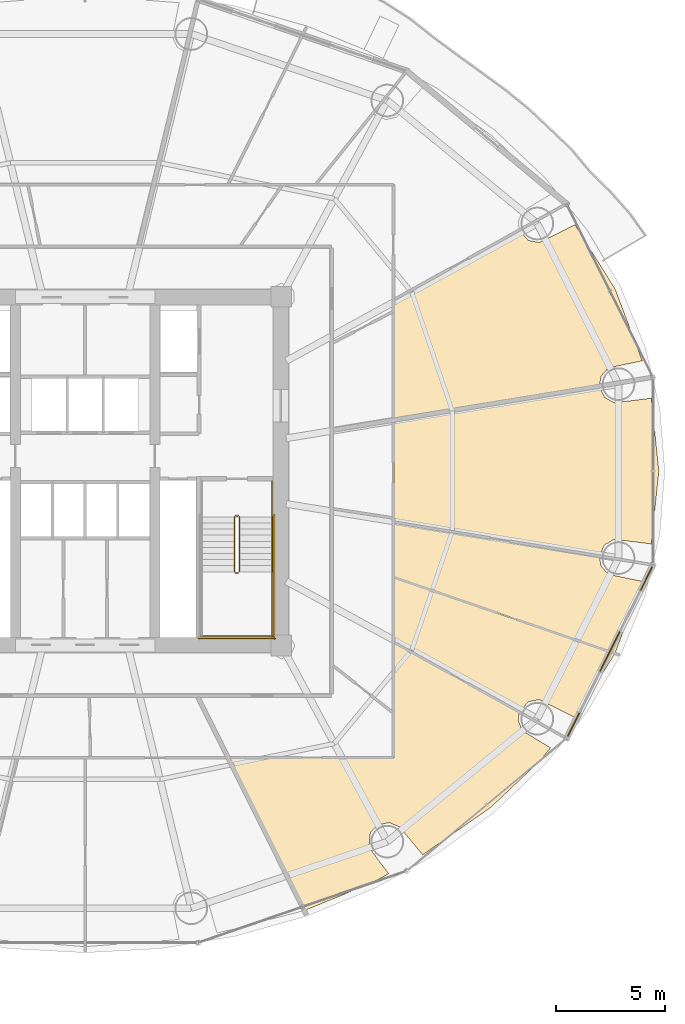
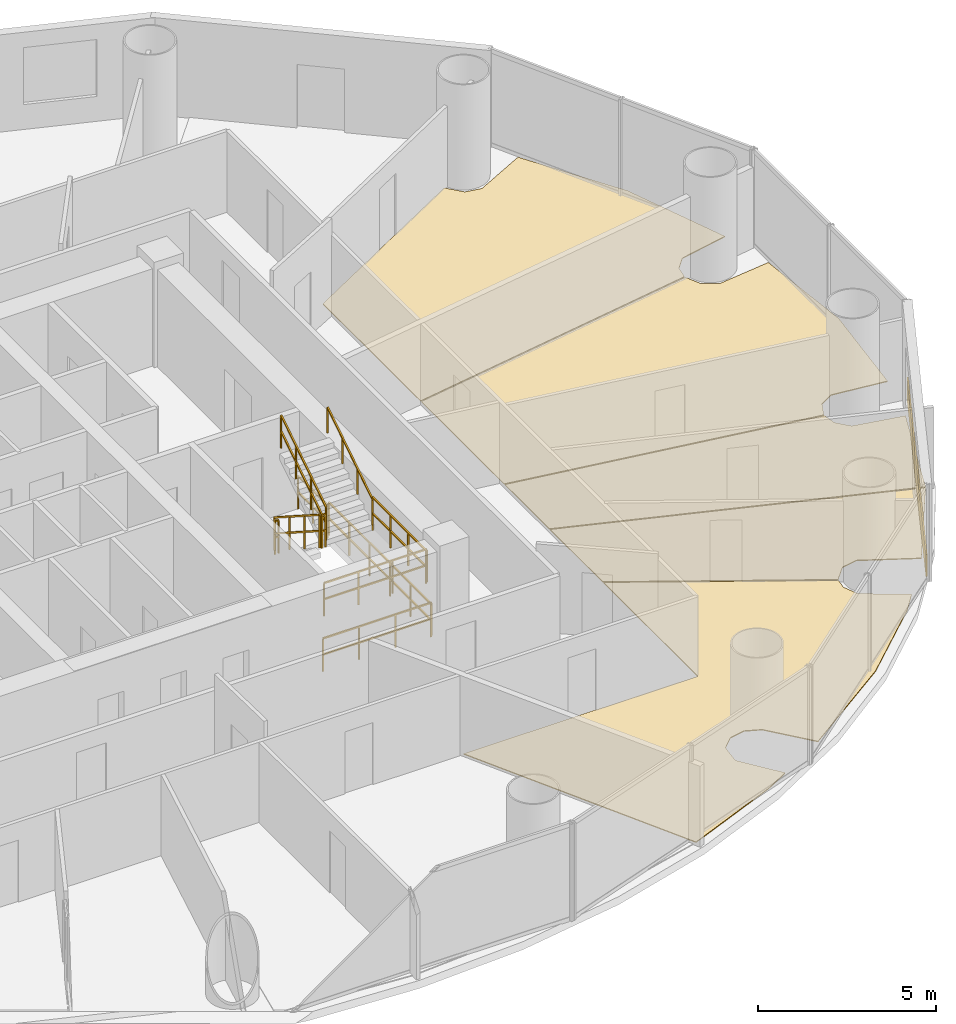
# One storey, part 27 of 28: 10 railings, 6 coverings.
"""IFC4 building model written with IfcOpenShell, lengths in metres."""

from ifc_helpers import new_model, si_unit, direction, frame, origin, origin_2d, place, context, subcontext, project, spatial, polyline, rectangle, outline, extrude, source, transform, mapped, material, layer, layer_set, type_object, element, save


model = new_model("IFC4")

# Units and contexts
model_context = context("Model", 3, precision=1e-05, world=origin(), true_north=direction((-0.2419218956, 0.970295726276)))
body_context = subcontext(model_context, "Body", "Model", "MODEL_VIEW")
ifc_project = project(units=[si_unit("LENGTHUNIT", "METRE"), si_unit("AREAUNIT", "SQUARE_METRE"), si_unit("VOLUMEUNIT", "CUBIC_METRE"), si_unit("PLANEANGLEUNIT", "RADIAN"), si_unit("MASSUNIT", "GRAM", prefix="KILO")], contexts=[model_context])

# Site, building, storey
site_placement = place(None, origin())
site = spatial("IfcSite", under=ifc_project, at=site_placement, CompositionType="ELEMENT")
building_placement = place(site_placement, origin())
building = spatial("IfcBuilding", under=site, at=building_placement, Name="Cobrevalo Terracotta Tower", CompositionType="ELEMENT")
storey_placement = place(building_placement, frame((0.0, 0.0, 105.0)))
storey = spatial("IfcBuildingStorey", under=building, at=storey_placement, Name="L27", CompositionType="ELEMENT", Elevation=105.0)

# Coverings
ifc_material_1 = material(Name="Engineered Brazilian hardwood flooring", Category="wood")
ifc_layer_1 = layer(ifc_material_1, 0.028076171875)
ifc_layer_set_1 = layer_set([ifc_layer_1], Name="Engineered Brazilian hardwood flooring")
covering_type_1 = type_object("IfcCoveringType", Name="Engineered Hardwood Suite Flooring 28", PredefinedType="FLOORING", material=ifc_layer_set_1)
covering_1_placement = place(storey_placement, origin())
element("IfcCovering", 1, at=covering_1_placement, inside=storey, type_object=covering_type_1, Name="Flat L27A Living and Dining Room floor finish", PredefinedType="FLOORING", context=body_context, shape_type="SweptSolid", body=[
    extrude(outline(polyline([(62.317138671875, 35.14892578125), (63.564208984375, 31.859619140625), (62.00732421875, 31.537841796875), (61.669677734375, 31.154541015625), (61.597412109375, 30.719970703125), (52.1650390625, 29.1611328125), (52.1650390625, 34.640625), (57.9296875, 37.8408203125), (58.338134765625, 37.381103515625), (58.84033203125, 37.286376953125), (60.474853515625, 38.10546875), (62.317138671875, 35.14892578125)])), origin(), (0.0, 0.0, 1.0), 0.030029296875),
])
covering_2_placement = place(storey_placement, origin())
element("IfcCovering", 2, at=covering_2_placement, inside=storey, type_object=covering_type_1, Name="Flat L27E Living and Dining Room floor finish", PredefinedType="FLOORING", context=body_context, shape_type="SweptSolid", body=[
    extrude(outline(polyline([(56.6123046875, 11.372314453125), (53.488525390625, 9.193359375), (52.422119140625, 10.474853515625), (51.95068359375, 10.672119140625), (51.44921875, 10.573974609375), (51.086669921875, 10.2138671875), (51.0185546875, 9.543701171875), (51.92431640625, 8.32666015625), (51.161376953125, 7.904052734375), (48.07177734375, 6.64306640625), (44.5859375, 13.635009765625), (52.1650390625, 13.635009765625), (52.1650390625, 18.91357421875), (57.916259765625, 15.720703125), (57.868408203125, 15.361328125), (58.05908203125, 14.88720703125), (59.35302734375, 14.102294921875), (58.882080078125, 13.518310546875), (56.6123046875, 11.372314453125)])), origin(), (0.0, 0.0, 1.0), 0.030029296875),
])
covering_3_placement = place(storey_placement, origin())
element("IfcCovering", 3, at=covering_3_placement, inside=storey, type_object=covering_type_1, Name="Flat L27E Master Bedroom floor finish", PredefinedType="FLOORING", context=body_context, shape_type="SweptSolid", body=[
    extrude(outline(polyline([(60.474853515625, 15.49462890625), (58.84033203125, 16.3134765625), (58.338134765625, 16.218994140625), (57.9296875, 15.759033203125), (52.1650390625, 18.959228515625), (52.1650390625, 21.904052734375), (62.296875, 18.417236328125), (60.474853515625, 15.49462890625)])), origin(), (0.0, 0.0, 1.0), 0.030029296875),
])
covering_4_placement = place(storey_placement, origin())
element("IfcCovering", 4, at=covering_4_placement, inside=storey, type_object=covering_type_1, Name="Flat L27E Principal Guest Bedroom floor finish", PredefinedType="FLOORING", context=body_context, shape_type="SweptSolid", body=[
    extrude(outline(polyline([(52.1650390625, 21.9462890625), (52.1650390625, 24.438720703125), (61.597412109375, 22.8798828125), (61.669677734375, 22.445556640625), (62.00732421875, 22.06201171875), (63.564208984375, 21.740478515625), (62.3154296875, 18.453369140625), (52.1650390625, 21.9462890625)])), origin(), (0.0, 0.0, 1.0), 0.030029296875),
])
covering_5_placement = place(storey_placement, origin())
element("IfcCovering", 5, at=covering_5_placement, inside=storey, type_object=covering_type_1, Name="Flat L27E Penthouse Family Lounge floor finish", PredefinedType="FLOORING", context=body_context, shape_type="SweptSolid", body=[
    extrude(outline(polyline([(61.60302734375, 30.680419921875), (61.8271484375, 30.189208984375), (62.26904296875, 29.932861328125), (63.975830078125, 30.143310546875), (64.31982421875, 26.800048828125), (63.975830078125, 23.45654296875), (62.26904296875, 23.6669921875), (61.8271484375, 23.41064453125), (61.60302734375, 22.919677734375), (52.1650390625, 24.479248046875), (52.1650390625, 29.12060546875), (61.60302734375, 30.680419921875)])), origin(), (0.0, 0.0, 1.0), 0.030029296875),
])

# Railings
ifc_material_2 = material(Name="Brushed stainless steel", Category="steel")
railing_type_1 = type_object("IfcRailingType", Name="Stainless Steel Stair Handrail 900", PredefinedType="HANDRAIL", material=ifc_material_2)
railing_1_placement = place(storey_placement, frame((46.574951171875, 22.179931640625, 1.97998046875)))
element("IfcRailing", 6, at=railing_1_placement, inside=storey, type_object=railing_type_1, Name="L27 ST-2 stair handrail 2", PredefinedType="HANDRAIL", context=body_context, shape_type="SweptSolid", body=[
    extrude(rectangle(XDim=0.048095703125, YDim=0.048095703125, at=origin_2d()), frame((0.0, 0.0, 0.8759765625), z_axis=(0.0, 0.841162588446, 0.540782303519), x_axis=(-1.0, 0.0, 0.0)), (0.0, 0.0, 1.0), 2.995849609375),
    extrude(rectangle(XDim=0.0419921875, YDim=0.0419921875, at=origin_2d()), origin(), (0.0, 0.0, 1.0), 0.851806640625),
    extrude(rectangle(XDim=0.0419921875, YDim=0.0419921875, at=origin_2d()), frame((0.0, 0.840087890625, 0.5400390625)), (0.0, 0.0, 1.0), 0.851806640625),
    extrude(rectangle(XDim=0.0419921875, YDim=0.0419921875, at=origin_2d()), frame((0.0, 1.679931640625, 1.080078125)), (0.0, 0.0, 1.0), 0.851806640625),
    extrude(rectangle(XDim=0.0419921875, YDim=0.0419921875, at=origin_2d()), frame((0.0, 2.52001953125, 1.6201171875)), (0.0, 0.0, 1.0), 0.851806640625),
])
ifc_material_3 = material(Name="Painted galvanized steel", Category="steel")
railing_type_2 = type_object("IfcRailingType", Name="Stair Well Guard Balustrade 1150", PredefinedType="GUARDRAIL", material=ifc_material_3)
railing_2_placement = place(storey_placement, frame((44.85498046875, 24.699951171875, 0.179931640625)))
element("IfcRailing", 7, at=railing_2_placement, inside=storey, type_object=railing_type_2, Name="L27 ST-2 stair guard 1", PredefinedType="GUARDRAIL", context=body_context, shape_type="SweptSolid", body=[
    extrude(rectangle(XDim=0.048095703125, YDim=0.048095703125, at=origin_2d()), frame((0.0, 0.0, 1.1259765625), z_axis=(0.0, -0.841162588446, 0.540782303519), x_axis=(1.0, 0.0, 0.0)), (0.0, 0.0, 1.0), 2.995849609375),
    extrude(rectangle(XDim=0.048095703125, YDim=0.048095703125, at=origin_2d()), frame((0.0, 0.0, 0.574951171875), z_axis=(0.0, -0.841162588446, 0.540782303519), x_axis=(1.0, 0.0, 0.0)), (0.0, 0.0, 1.0), 2.995849609375),
    extrude(rectangle(XDim=0.0419921875, YDim=0.0419921875, at=origin_2d()), origin(), (0.0, 0.0, 1.0), 1.101806640625),
    extrude(rectangle(XDim=0.0419921875, YDim=0.0419921875, at=origin_2d()), frame((0.0, -0.840087890625, 0.5400390625)), (0.0, 0.0, 1.0), 1.101806640625),
    extrude(rectangle(XDim=0.0419921875, YDim=0.0419921875, at=origin_2d()), frame((0.0, -1.679931640625, 1.080078125)), (0.0, 0.0, 1.0), 1.101806640625),
    extrude(rectangle(XDim=0.0419921875, YDim=0.0419921875, at=origin_2d()), frame((0.0, -2.52001953125, 1.6201171875)), (0.0, 0.0, 1.0), 1.101806640625),
])
railing_3_placement = place(storey_placement, frame((44.905029296875, 22.1298828125, 1.800048828125)))
element("IfcRailing", 8, at=railing_3_placement, inside=storey, type_object=railing_type_2, Name="L27 ST-2 stair guard 2", PredefinedType="GUARDRAIL", context=body_context, shape_type="SweptSolid", body=[
    extrude(rectangle(XDim=0.048095703125, YDim=0.048095703125, at=origin_2d()), frame((0.0, 0.0, 1.1259765625), z_axis=(1.0, 0.0, 0.0), x_axis=(0.0, 1.0, 0.0)), (0.0, 0.0, 1.0), 0.119873046875),
    extrude(rectangle(XDim=0.048095703125, YDim=0.048095703125, at=origin_2d()), frame((0.0, 0.0, 0.574951171875), z_axis=(1.0, 0.0, 0.0), x_axis=(0.0, 1.0, 0.0)), (0.0, 0.0, 1.0), 0.119873046875),
    extrude(rectangle(XDim=0.0419921875, YDim=0.0419921875, at=origin_2d()), origin(), (0.0, 0.0, 1.0), 1.101806640625),
    extrude(rectangle(XDim=0.0419921875, YDim=0.0419921875, at=origin_2d()), frame((0.119873046875, 0.0, 0.0)), (0.0, 0.0, 1.0), 1.101806640625),
])
railing_4_placement = place(storey_placement, frame((46.574951171875, 22.179931640625, 1.800048828125)))
element("IfcRailing", 9, at=railing_4_placement, inside=storey, type_object=railing_type_2, Name="L27 ST-2 stair guard 4", PredefinedType="GUARDRAIL", context=body_context, shape_type="SweptSolid", body=[
    extrude(rectangle(XDim=0.048095703125, YDim=0.048095703125, at=origin_2d()), frame((0.0, 0.0, 1.1259765625), z_axis=(0.0, -1.0, 0.0), x_axis=(1.0, 0.0, 0.0)), (0.0, 0.0, 1.0), 3.0048828125),
    extrude(rectangle(XDim=0.048095703125, YDim=0.048095703125, at=origin_2d()), frame((0.0, 0.0, 0.574951171875), z_axis=(0.0, -1.0, 0.0), x_axis=(1.0, 0.0, 0.0)), (0.0, 0.0, 1.0), 3.0048828125),
    extrude(rectangle(XDim=0.0419921875, YDim=0.0419921875, at=origin_2d()), origin(), (0.0, 0.0, 1.0), 1.101806640625),
    extrude(rectangle(XDim=0.0419921875, YDim=0.0419921875, at=origin_2d()), frame((0.0, -1.001708984375, 0.0)), (0.0, 0.0, 1.0), 1.101806640625),
    extrude(rectangle(XDim=0.0419921875, YDim=0.0419921875, at=origin_2d()), frame((0.0, -2.003173828125, 0.0)), (0.0, 0.0, 1.0), 1.101806640625),
    extrude(rectangle(XDim=0.0419921875, YDim=0.0419921875, at=origin_2d()), frame((0.0, -3.0048828125, 0.0)), (0.0, 0.0, 1.0), 1.101806640625),
])
railing_5_placement = place(storey_placement, frame((43.304931640625, 19.22509765625, 1.800048828125)))
element("IfcRailing", 10, at=railing_5_placement, inside=storey, type_object=railing_type_2, Name="L27 ST-2 stair guard 5", PredefinedType="GUARDRAIL", context=body_context, shape_type="SweptSolid", body=[
    extrude(rectangle(XDim=0.048095703125, YDim=0.048095703125, at=origin_2d()), frame((0.0, 0.0, 1.1259765625), z_axis=(1.0, 0.0, 0.0), x_axis=(0.0, 1.0, 0.0)), (0.0, 0.0, 1.0), 3.320068359375),
    extrude(rectangle(XDim=0.048095703125, YDim=0.048095703125, at=origin_2d()), frame((0.0, 0.0, 0.574951171875), z_axis=(1.0, 0.0, 0.0), x_axis=(0.0, 1.0, 0.0)), (0.0, 0.0, 1.0), 3.320068359375),
    extrude(rectangle(XDim=0.0419921875, YDim=0.0419921875, at=origin_2d()), origin(), (0.0, 0.0, 1.0), 1.101806640625),
    extrude(rectangle(XDim=0.0419921875, YDim=0.0419921875, at=origin_2d()), frame((1.106689453125, 0.0, 0.0)), (0.0, 0.0, 1.0), 1.101806640625),
    extrude(rectangle(XDim=0.0419921875, YDim=0.0419921875, at=origin_2d()), frame((2.21337890625, 0.0, 0.0)), (0.0, 0.0, 1.0), 1.101806640625),
    extrude(rectangle(XDim=0.0419921875, YDim=0.0419921875, at=origin_2d()), frame((3.320068359375, 0.0, 0.0)), (0.0, 0.0, 1.0), 1.101806640625),
])
railing_6_placement = place(storey_placement, frame((45.074951171875, 22.179931640625, 1.97998046875)))
element("IfcRailing", 11, at=railing_6_placement, inside=storey, type_object=railing_type_2, Name="L27 ST-2 stair guard 6", PredefinedType="GUARDRAIL", context=body_context, shape_type="SweptSolid", body=[
    extrude(rectangle(XDim=0.048095703125, YDim=0.048095703125, at=origin_2d()), frame((0.0, 0.0, 1.1259765625), z_axis=(0.0, 0.841162588446, 0.540782303519), x_axis=(-1.0, 0.0, 0.0)), (0.0, 0.0, 1.0), 2.995849609375),
    extrude(rectangle(XDim=0.048095703125, YDim=0.048095703125, at=origin_2d()), frame((0.0, 0.0, 0.574951171875), z_axis=(0.0, 0.841162588446, 0.540782303519), x_axis=(-1.0, 0.0, 0.0)), (0.0, 0.0, 1.0), 2.995849609375),
    extrude(rectangle(XDim=0.0419921875, YDim=0.0419921875, at=origin_2d()), origin(), (0.0, 0.0, 1.0), 1.101806640625),
    extrude(rectangle(XDim=0.0419921875, YDim=0.0419921875, at=origin_2d()), frame((0.0, 0.840087890625, 0.5400390625)), (0.0, 0.0, 1.0), 1.101806640625),
    extrude(rectangle(XDim=0.0419921875, YDim=0.0419921875, at=origin_2d()), frame((0.0, 1.679931640625, 1.080078125)), (0.0, 0.0, 1.0), 1.101806640625),
    extrude(rectangle(XDim=0.0419921875, YDim=0.0419921875, at=origin_2d()), frame((0.0, 2.52001953125, 1.6201171875)), (0.0, 0.0, 1.0), 1.101806640625),
])
railing_7_placement = place(storey_placement, frame((44.905029296875, 24.75, 0.0)))
element("IfcRailing", 12, at=railing_7_placement, inside=storey, type_object=railing_type_2, Name="L27 ST-2 stair guard 7", PredefinedType="GUARDRAIL", context=body_context, shape_type="SweptSolid", body=[
    extrude(rectangle(XDim=0.048095703125, YDim=0.048095703125, at=origin_2d()), frame((0.0, 0.0, 1.1259765625), z_axis=(1.0, 0.0, 0.0), x_axis=(0.0, 1.0, 0.0)), (0.0, 0.0, 1.0), 0.119873046875),
    extrude(rectangle(XDim=0.048095703125, YDim=0.048095703125, at=origin_2d()), frame((0.0, 0.0, 0.574951171875), z_axis=(1.0, 0.0, 0.0), x_axis=(0.0, 1.0, 0.0)), (0.0, 0.0, 1.0), 0.119873046875),
    extrude(rectangle(XDim=0.0419921875, YDim=0.0419921875, at=origin_2d()), origin(), (0.0, 0.0, 1.0), 1.101806640625),
    extrude(rectangle(XDim=0.0419921875, YDim=0.0419921875, at=origin_2d()), frame((0.119873046875, 0.0, 0.0)), (0.0, 0.0, 1.0), 1.101806640625),
])
railing_8_placement = place(storey_placement, frame((46.574951171875, 26.35009765625, 0.0)))
element("IfcRailing", 13, at=railing_8_placement, inside=storey, type_object=railing_type_2, Name="L27 ST-2 stair guard 9", PredefinedType="GUARDRAIL", context=body_context, shape_type="SweptSolid", body=[
    extrude(rectangle(XDim=0.048095703125, YDim=0.048095703125, at=origin_2d()), frame((0.0, 0.0, 1.1259765625), z_axis=(0.0, -1.0, 0.0), x_axis=(1.0, 0.0, 0.0)), (0.0, 0.0, 1.0), 1.650146484375),
    extrude(rectangle(XDim=0.048095703125, YDim=0.048095703125, at=origin_2d()), frame((0.0, 0.0, 0.574951171875), z_axis=(0.0, -1.0, 0.0), x_axis=(1.0, 0.0, 0.0)), (0.0, 0.0, 1.0), 1.650146484375),
    extrude(rectangle(XDim=0.0419921875, YDim=0.0419921875, at=origin_2d()), origin(), (0.0, 0.0, 1.0), 1.101806640625),
    extrude(rectangle(XDim=0.0419921875, YDim=0.0419921875, at=origin_2d()), frame((0.0, -0.8251953125, 0.0)), (0.0, 0.0, 1.0), 1.101806640625),
    extrude(rectangle(XDim=0.0419921875, YDim=0.0419921875, at=origin_2d()), frame((0.0, -1.650146484375, 0.0)), (0.0, 0.0, 1.0), 1.101806640625),
])
railing_9_placement = place(storey_placement, frame((46.675048828125, 24.800048828125, 0.0)))
element("IfcRailing", 14, at=railing_9_placement, inside=storey, type_object=railing_type_2, Name="L27 ST-2 stair guard 11", PredefinedType="GUARDRAIL", context=body_context, shape_type="SweptSolid", body=[
    extrude(rectangle(XDim=0.048095703125, YDim=0.048095703125, at=origin_2d()), frame((0.0, 0.0, 1.1259765625), z_axis=(0.0, -1.0, 0.0), x_axis=(1.0, 0.0, 0.0)), (0.0, 0.0, 1.0), 5.72509765625),
    extrude(rectangle(XDim=0.048095703125, YDim=0.048095703125, at=origin_2d()), frame((0.0, 0.0, 0.574951171875), z_axis=(0.0, -1.0, 0.0), x_axis=(1.0, 0.0, 0.0)), (0.0, 0.0, 1.0), 5.72509765625),
    extrude(rectangle(XDim=0.0419921875, YDim=0.0419921875, at=origin_2d()), origin(), (0.0, 0.0, 1.0), 1.101806640625),
    extrude(rectangle(XDim=0.0419921875, YDim=0.0419921875, at=origin_2d()), frame((0.0, -1.14501953125, 0.0)), (0.0, 0.0, 1.0), 1.101806640625),
    extrude(rectangle(XDim=0.0419921875, YDim=0.0419921875, at=origin_2d()), frame((0.0, -2.2900390625, 0.0)), (0.0, 0.0, 1.0), 1.101806640625),
    extrude(rectangle(XDim=0.0419921875, YDim=0.0419921875, at=origin_2d()), frame((0.0, -3.43505859375, 0.0)), (0.0, 0.0, 1.0), 1.101806640625),
    extrude(rectangle(XDim=0.0419921875, YDim=0.0419921875, at=origin_2d()), frame((0.0, -4.580078125, 0.0)), (0.0, 0.0, 1.0), 1.101806640625),
    extrude(rectangle(XDim=0.0419921875, YDim=0.0419921875, at=origin_2d()), frame((0.0, -5.72509765625, 0.0)), (0.0, 0.0, 1.0), 1.101806640625),
])
railing_10_placement = place(storey_placement, frame((43.205078125, 19.125, 0.0)))
element("IfcRailing", 15, at=railing_10_placement, inside=storey, type_object=railing_type_2, Name="L27 ST-2 stair guard 12", PredefinedType="GUARDRAIL", context=body_context, shape_type="SweptSolid", body=[
    extrude(rectangle(XDim=0.048095703125, YDim=0.048095703125, at=origin_2d()), frame((0.0, 0.0, 1.1259765625), z_axis=(1.0, 0.0, 0.0), x_axis=(0.0, 1.0, 0.0)), (0.0, 0.0, 1.0), 3.52001953125),
    extrude(rectangle(XDim=0.048095703125, YDim=0.048095703125, at=origin_2d()), frame((0.0, 0.0, 0.574951171875), z_axis=(1.0, 0.0, 0.0), x_axis=(0.0, 1.0, 0.0)), (0.0, 0.0, 1.0), 3.52001953125),
    extrude(rectangle(XDim=0.0419921875, YDim=0.0419921875, at=origin_2d()), origin(), (0.0, 0.0, 1.0), 1.101806640625),
    extrude(rectangle(XDim=0.0419921875, YDim=0.0419921875, at=origin_2d()), frame((1.17333984375, 0.0, 0.0)), (0.0, 0.0, 1.0), 1.101806640625),
    extrude(rectangle(XDim=0.0419921875, YDim=0.0419921875, at=origin_2d()), frame((2.3466796875, 0.0, 0.0)), (0.0, 0.0, 1.0), 1.101806640625),
    extrude(rectangle(XDim=0.0419921875, YDim=0.0419921875, at=origin_2d()), frame((3.52001953125, 0.0, 0.0)), (0.0, 0.0, 1.0), 1.101806640625),
])

# Covering
ifc_material_4 = material(Name="Glazed terracotta facade cladding tile", Category="masonry")
ifc_layer_2 = layer(ifc_material_4, 0.044921875)
ifc_layer_set_2 = layer_set([ifc_layer_2], Name="Glazed terracotta facade cladding tile")
covering_type_2 = type_object("IfcCoveringType", Name="Architectural terracotta rainscreen spandrel cladding 45 mm", PredefinedType="CLADDING", material=ifc_layer_set_2)
shared_shape = source(origin(), body_context, "Body", "SweptSolid", [
    extrude(rectangle(XDim=8.690185546875, YDim=0.044921875, at=origin_2d()), origin(), (0.0, 0.0, 1.0), 0.760009765625),
])
covering_6_placement = place(storey_placement, frame((62.075927734375, 18.516357421875, 0.0400390625), z_axis=(0.0, 0.0, 1.0), x_axis=(0.446261852127, 0.894902430065, 0.0)))
element("IfcCovering", 16, at=covering_6_placement, inside=storey, type_object=covering_type_2, Name="L27 terracotta spandrel cladding S15", PredefinedType="CLADDING", context=body_context, shape_type="MappedRepresentation", body=[
    mapped(shared_shape, transform((0.0, 0.0, 0.0), scale=1.0)),
])

save(model, "model.ifc")
